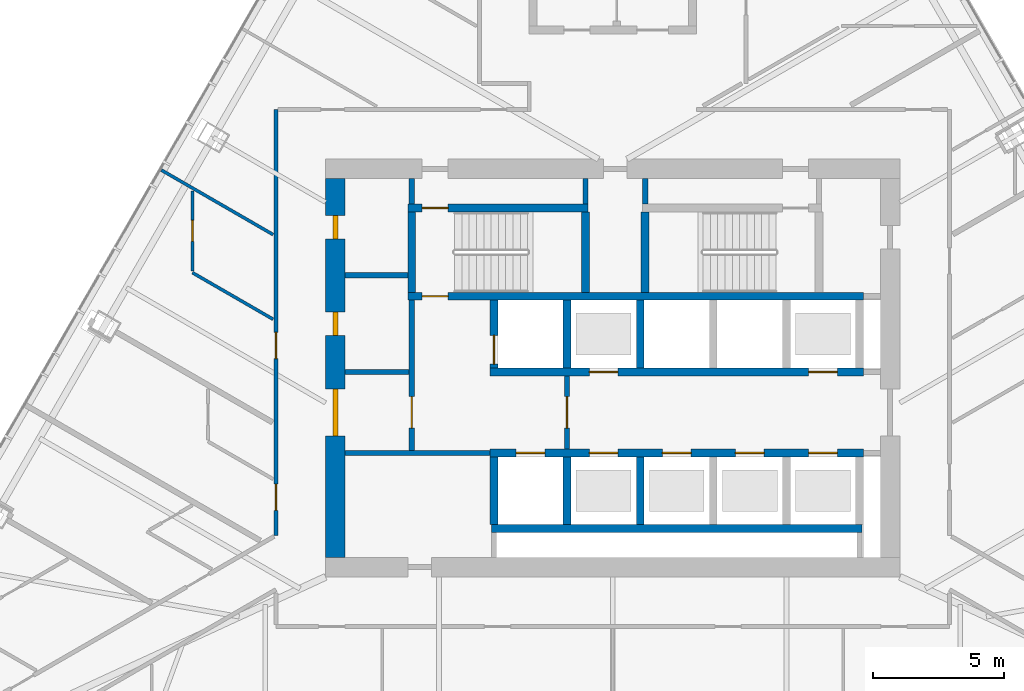
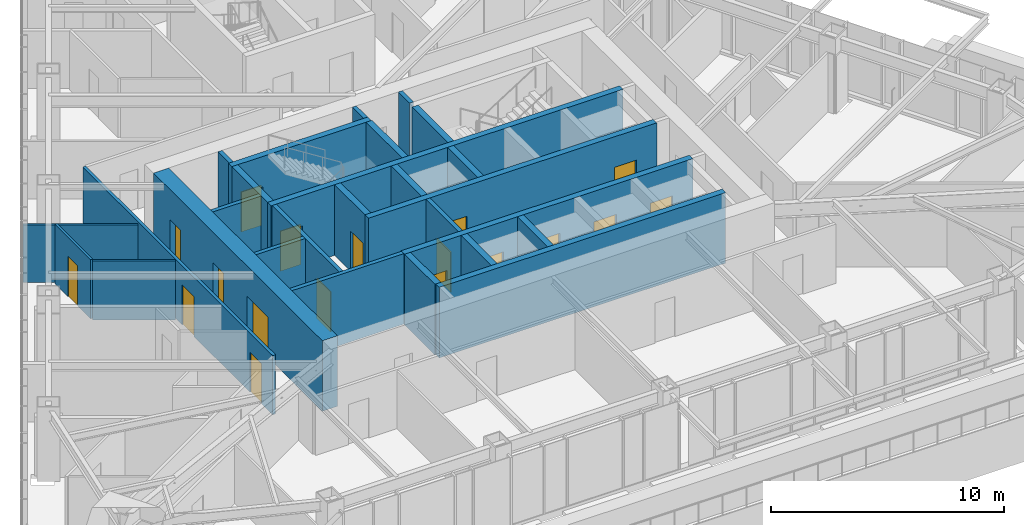
# One storey, part 15 of 21: 27 walls, 18 doors, 18 openings.
"""IFC4 building model written with IfcOpenShell, lengths in metres."""

import ifcopenshell
import ifcopenshell.guid

model = None  # the IFC model being written
_history = None  # IfcOwnerHistory: only IFC2X3 demands one
_inside = {}  # id of a spatial element -> (the spatial element, [elements in it])
_under = {}  # id of a project, library or spatial element -> (it, [spatial elements below it])
_declared = {}  # id of a project -> (the project, [libraries it declares])
_typed = {}  # id of a type object -> (the type object, [elements of that type])
_made_of = {}  # id of a material, layer set ... -> (it, [elements and type objects made of it])


def new_model(schema):
    """Start an empty IFC model of exactly this schema.

    Asked for "IFC4X3", IfcOpenShell would pick the latest addendum, in which some entities
    have other attributes; the version numbers below select the first issue.
    IFC2X3 requires an IfcOwnerHistory on every rooted entity: one is made here for all.
    """
    global model, _history
    if schema == "IFC4X3":
        model = ifcopenshell.file(schema_version=(4, 3, 0, 0))
    else:
        model = ifcopenshell.file(schema=schema)
    _inside.clear()
    _under.clear()
    _declared.clear()
    _typed.clear()
    _made_of.clear()
    _history = None
    if model.schema == "IFC2X3":
        org = make("IfcOrganization", Name="unknown")
        user = make(
            "IfcPersonAndOrganization",
            ThePerson=make("IfcPerson", FamilyName="unknown"),
            TheOrganization=org,
        )
        app = make(
            "IfcApplication",
            ApplicationDeveloper=org,
            Version="unknown",
            ApplicationFullName="unknown",
            ApplicationIdentifier="unknown",
        )
        _history = make(
            "IfcOwnerHistory",
            OwningUser=user,
            OwningApplication=app,
            ChangeAction="ADDED",
            CreationDate=0,
        )
    return model


def make(cls, **values):
    """One entity of the class cls with the attributes given. An attribute that is None is left unset."""
    return model.create_entity(
        cls, **{name: value for name, value in values.items() if value is not None}
    )


def rooted(cls, **values):
    """An entity with a GlobalId (a new one), such as an element, a storey or a relation."""
    return make(cls, GlobalId=ifcopenshell.guid.new(), OwnerHistory=_history, **values)


def si_unit(unit_type, name, prefix=None):
    """IfcSIUnit, for example si_unit("LENGTHUNIT", "METRE", prefix="MILLI")."""
    return make("IfcSIUnit", UnitType=unit_type, Prefix=prefix, Name=name)


def assignment(units):
    """IfcUnitAssignment: the units of a project."""
    return None if units is None else make("IfcUnitAssignment", Units=units)


def point(xyz):
    """IfcCartesianPoint."""
    return None if xyz is None else make("IfcCartesianPoint", Coordinates=xyz)


def direction(xyz):
    """IfcDirection."""
    return None if xyz is None else make("IfcDirection", DirectionRatios=xyz)


def frame(location, z_axis=None, x_axis=None):
    """IfcAxis2Placement3D, a coordinate frame: its origin and axes. An axis left out is left unset."""
    return make(
        "IfcAxis2Placement3D",
        Location=point(location),
        Axis=direction(z_axis),
        RefDirection=direction(x_axis),
    )


def frame_2d(location, x_axis=None):
    """IfcAxis2Placement2D, a coordinate frame in the plane: its origin and x axis."""
    return make(
        "IfcAxis2Placement2D", Location=point(location), RefDirection=direction(x_axis)
    )


def origin():
    """The frame at (0, 0, 0) with its axes left unset."""
    return frame((0.0, 0.0, 0.0))


def place(relative_to, where):
    """IfcLocalPlacement: puts the frame where relative to a parent placement (None: the world)."""
    return make(
        "IfcLocalPlacement", PlacementRelTo=relative_to, RelativePlacement=where
    )


def context(
    kind, dimensions, precision=None, world=None, true_north=None, identifier=None
):
    """IfcGeometricRepresentationContext, for example the 3D "Model" context."""
    return make(
        "IfcGeometricRepresentationContext",
        ContextIdentifier=identifier,
        ContextType=kind,
        CoordinateSpaceDimension=dimensions,
        Precision=precision,
        WorldCoordinateSystem=world,
        TrueNorth=true_north,
    )


def subcontext(parent, identifier, kind, view, scale=None):
    """IfcGeometricRepresentationSubContext, for example "Body" below "Model"."""
    return make(
        "IfcGeometricRepresentationSubContext",
        ContextIdentifier=identifier,
        ContextType=kind,
        ParentContext=parent,
        TargetScale=scale,
        TargetView=view,
    )


def project(units=None, contexts=None):
    """IfcProject with its units and contexts."""
    return rooted(
        "IfcProject",
        Name="project",
        RepresentationContexts=contexts,
        UnitsInContext=assignment(units),
    )


def spatial(cls, under=None, at=None, **own):
    """A site, building, storey or space (cls), placed at a placement, below another one or the project."""
    s = rooted(cls, ObjectPlacement=at, **own)
    if under is not None:
        _under.setdefault(under.id(), (under, []))[1].append(s)
    return s


def profile(cls, at=None, kind="AREA", **sizes):
    """A parametric profile (cls). Its sizes go by their IFC names, for example OverallWidth=200.0."""
    return make(cls, ProfileType=kind, Position=at, **sizes)


def rectangle(**sizes):
    """IfcRectangleProfileDef."""
    return profile("IfcRectangleProfileDef", **sizes)


def extrude(swept, where, along, depth):
    """IfcExtrudedAreaSolid: the profile swept, set in the frame where, extruded along a direction by depth."""
    return make(
        "IfcExtrudedAreaSolid",
        SweptArea=swept,
        Position=where,
        ExtrudedDirection=direction(along),
        Depth=depth,
    )


def shape(context_of_items, identifier, shape_type, items):
    """IfcShapeRepresentation: the items that make up one representation, for example the "Body"."""
    return make(
        "IfcShapeRepresentation",
        ContextOfItems=context_of_items,
        RepresentationIdentifier=identifier,
        RepresentationType=shape_type,
        Items=items,
    )


def material(Name=None, Category=None):
    """IfcMaterial."""
    return make("IfcMaterial", Name=Name, Category=Category)


def layer(
    of_material, thickness, ventilated=None, Name=None, Category=None, Priority=None
):
    """IfcMaterialLayer: one layer of a wall or slab, of a material (None: an air gap)."""
    return make(
        "IfcMaterialLayer",
        Material=of_material,
        LayerThickness=thickness,
        IsVentilated=ventilated,
        Name=Name,
        Category=Category,
        Priority=Priority,
    )


def layer_set(layers, Name=None):
    """IfcMaterialLayerSet."""
    return make("IfcMaterialLayerSet", MaterialLayers=layers, LayerSetName=Name)


def made_of(thing, what):
    """Note that an element or type object is made of a material, layer set ...; save() writes the relation."""
    if what is not None:
        _made_of.setdefault(what.id(), (what, []))[1].append(thing)
    return thing


def type_object(cls, material=None, **own):
    """A type object (cls), such as IfcWallType, which elements share."""
    return made_of(rooted(cls, **own), material)


def element(
    cls,
    number,
    at=None,
    inside=None,
    cuts=None,
    type_object=None,
    material=None,
    context=None,
    identifier="Body",
    shape_type=None,
    held_by="IfcProductDefinitionShape",
    body=None,
    shapes=None,
    **own,
):
    """One element of the class cls, such as IfcWall. Its Tag is "e" and its number.

    at: its placement. inside: the storey or other place that contains it. cuts: it is an
    opening in that element (IfcRelVoidsElement). A single representation is given by context,
    identifier, shape_type and body (its items); several are given by shapes. held_by: the class
    of the entity that holds the representations. save() writes the other relations.
    """
    e = rooted(cls, Tag="e%d" % number, ObjectPlacement=at, **own)
    if body is not None:
        shapes = [shape(context, identifier, shape_type, body)]
    if shapes is not None:
        e.Representation = make(held_by, Representations=shapes)
    if inside is not None:
        _inside.setdefault(inside.id(), (inside, []))[1].append(e)
    if cuts is not None:
        rooted(
            "IfcRelVoidsElement", RelatingBuildingElement=cuts, RelatedOpeningElement=e
        )
    if type_object is not None:
        _typed.setdefault(type_object.id(), (type_object, []))[1].append(e)
    return made_of(e, material)


def fill(opening, filler):
    """IfcRelFillsElement: the door or window that sits in an opening."""
    return rooted(
        "IfcRelFillsElement",
        RelatingOpeningElement=opening,
        RelatedBuildingElement=filler,
    )


def aggregate(whole, parts):
    """IfcRelAggregates: a whole, such as a stair, and the parts it consists of."""
    return rooted("IfcRelAggregates", RelatingObject=whole, RelatedObjects=parts)


def save(model, path):
    """Write the relations noted so far, then the file.

    IfcRelAggregates (storeys below a building ...), IfcRelContainedInSpatialStructure (elements
    in a storey), IfcRelDefinesByType, IfcRelAssociatesMaterial and IfcRelDeclares: one each for
    every whole, place, type object, material and project.
    """
    for whole, parts in _under.values():
        aggregate(whole, parts)
    for where, things in _inside.values():
        rooted(
            "IfcRelContainedInSpatialStructure",
            RelatedElements=things,
            RelatingStructure=where,
        )
    for kind, things in _typed.values():
        rooted("IfcRelDefinesByType", RelatedObjects=things, RelatingType=kind)
    for what, things in _made_of.values():
        rooted("IfcRelAssociatesMaterial", RelatedObjects=things, RelatingMaterial=what)
    for by, libraries in _declared.values():
        rooted("IfcRelDeclares", RelatingContext=by, RelatedDefinitions=libraries)
    model.write(path)


model = new_model("IFC4")

# Units and contexts
model_context = context("Model", 3, precision=1e-05, world=origin(), true_north=direction((0.0, 1.0)))
body_context = subcontext(model_context, "Body", "Model", "MODEL_VIEW")
ifc_project = project(units=[si_unit("LENGTHUNIT", "METRE"), si_unit("AREAUNIT", "SQUARE_METRE"), si_unit("VOLUMEUNIT", "CUBIC_METRE"), si_unit("PLANEANGLEUNIT", "RADIAN"), si_unit("MASSUNIT", "GRAM", prefix="KILO")], contexts=[model_context])

# Site, building, storey
site_placement = place(None, origin())
site = spatial("IfcSite", under=ifc_project, at=site_placement, CompositionType="ELEMENT")
building_placement = place(site_placement, origin())
building = spatial("IfcBuilding", under=site, at=building_placement, Name="Firuza Gate Tower and Library", CompositionType="ELEMENT")
storey_placement = place(building_placement, frame((0.0, 0.0, 222.10009765625)))
storey = spatial("IfcBuildingStorey", under=building, at=storey_placement, Name="L52", CompositionType="ELEMENT", Elevation=222.10009765625)

# Walls
ifc_material_1 = material(Name="Plasterboard on steel studs", Category="steel")
ifc_layer_1 = layer(ifc_material_1, 0.199951171875)
ifc_layer_set_1 = layer_set([ifc_layer_1], Name="Core partition 200 EI 120")
wall_type_1 = type_object("IfcWallType", Name="Core partition 200 EI 120", PredefinedType="PARTITIONING", material=ifc_layer_set_1)
wall_1_placement = place(storey_placement, frame((64.75, 71.75, 0.0), z_axis=(0.0, 0.0, 1.0), x_axis=(1.0, 0.0, 0.0)))
element("IfcWall", 1, at=wall_1_placement, inside=storey, type_object=wall_type_1, Name="Core partition L52 1", PredefinedType="PARTITIONING", context=body_context, shape_type="SweptSolid", body=[
    extrude(rectangle(XDim=5.550048828125, YDim=0.199951171875, at=frame_2d((2.77490234375, 0.0))), origin(), (0.0, 0.0, 1.0), 3.699951171875),
])
ifc_material_2 = material(Name="Plasterboard on steel studs", Category="steel")
ifc_layer_2 = layer(ifc_material_2, 0.199951171875)
ifc_layer_set_2 = layer_set([ifc_layer_2], Name="Core partition 200 EI 60")
wall_type_2 = type_object("IfcWallType", Name="Core partition 200 EI 60", PredefinedType="PARTITIONING", material=ifc_layer_set_2)
wall_2_placement = place(storey_placement, frame((64.75, 74.85009765625, 0.0), z_axis=(0.0, 0.0, 1.0), x_axis=(1.0, 0.0, 0.0)))
element("IfcWall", 2, at=wall_2_placement, inside=storey, type_object=wall_type_2, Name="Core partition L52 3", PredefinedType="PARTITIONING", context=body_context, shape_type="SweptSolid", body=[
    extrude(rectangle(XDim=2.449951171875, YDim=0.199951171875, at=frame_2d((1.22509765625, 0.0))), origin(), (0.0, 0.0, 1.0), 3.699951171875),
])
wall_3_placement = place(storey_placement, frame((64.75, 78.550048828125, 0.0), z_axis=(0.0, 0.0, 1.0), x_axis=(1.0, 0.0, 0.0)))
element("IfcWall", 3, at=wall_3_placement, inside=storey, type_object=wall_type_2, Name="Core partition L52 6", PredefinedType="PARTITIONING", context=body_context, shape_type="SweptSolid", body=[
    extrude(rectangle(XDim=2.39990234375, YDim=0.199951171875, at=frame_2d((1.199951171875, 0.0))), origin(), (0.0, 0.0, 1.0), 3.699951171875),
])

# Wall, opening, door
wall_4_placement = place(storey_placement, frame((67.300048828125, 71.85009765625, 0.0), z_axis=(0.0, 0.0, 1.0), x_axis=(0.0, 1.0, 0.0)))
wall_4 = element("IfcWall", 4, at=wall_4_placement, inside=storey, type_object=wall_type_2, Name="Core partition L52 7", PredefinedType="PARTITIONING", context=body_context, shape_type="SweptSolid", body=[
    extrude(rectangle(XDim=5.75, YDim=0.199951171875, at=frame_2d((2.875, 0.0))), origin(), (0.0, 0.0, 1.0), 3.699951171875),
])
opening_1_placement = place(wall_4_placement, frame((0.85009765625, 0.0, 0.0)))
opening_1 = element("IfcOpeningElement", 5, at=opening_1_placement, cuts=wall_4, Name="Opening L52-K19", PredefinedType="OPENING", context=body_context, shape_type="SweptSolid", body=[
    extrude(rectangle(XDim=1.199951171875, YDim=2.10009765625, at=frame_2d((0.60009765625, 1.050048828125))), frame((0.0, 0.10986328125, 0.0), z_axis=(0.0, -1.0, 0.0), x_axis=(1.0, 0.0, 0.0)), (0.0, 0.0, 1.0), 0.219970703125),
])
ifc_material_3 = material(Name="Steel", Category="steel")
door_type_1 = type_object("IfcDoorType", Name="Fire door 1200x2100 FD90S", OperationType="NOTDEFINED", PredefinedType="DOOR", material=ifc_material_3)
door_1_placement = place(opening_1_placement, origin())
door_1 = element("IfcDoor", 6, at=door_1_placement, inside=storey, type_object=door_type_1, Name="Door L52-K19", OperationType="SINGLE_SWING_RIGHT", OverallHeight=2.10009765625, OverallWidth=1.199951171875, PredefinedType="DOOR", context=body_context, shape_type="SweptSolid", body=[
    extrude(rectangle(XDim=1.199951171875, YDim=2.10009765625, at=frame_2d((0.60009765625, 1.050048828125))), frame((0.0, 0.02490234375, 0.0), z_axis=(0.0, -1.0, 0.0), x_axis=(1.0, 0.0, 0.0)), (0.0, 0.0, 1.0), 0.050048828125),
])
fill(opening_1, door_1)

# Wall
wall_5_placement = place(storey_placement, frame((67.300048828125, 81.280029296875, 0.0), z_axis=(0.0, 0.0, 1.0), x_axis=(0.0, 1.0, 0.0)))
element("IfcWall", 7, at=wall_5_placement, inside=storey, type_object=wall_type_2, Name="Core partition L52 8", PredefinedType="PARTITIONING", context=body_context, shape_type="SweptSolid", body=[
    extrude(rectangle(XDim=0.969970703125, YDim=0.199951171875, at=frame_2d((0.48486328125, 0.0))), origin(), (0.0, 0.0, 1.0), 3.699951171875),
])

# Wall, opening, door
wall_6_placement = place(storey_placement, frame((73.25, 71.89990234375, 0.0), z_axis=(0.0, 0.0, 1.0), x_axis=(0.0, 1.0, 0.0)))
wall_6 = element("IfcWall", 8, at=wall_6_placement, inside=storey, type_object=wall_type_2, Name="Core partition L52 10", PredefinedType="PARTITIONING", context=body_context, shape_type="SweptSolid", body=[
    extrude(rectangle(XDim=2.800048828125, YDim=0.199951171875, at=frame_2d((1.39990234375, 0.0))), origin(), (0.0, 0.0, 1.0), 3.699951171875),
])
opening_2_placement = place(wall_6_placement, frame((0.800048828125, 0.0, 0.0)))
opening_2 = element("IfcOpeningElement", 9, at=opening_2_placement, cuts=wall_6, Name="Opening L52-K18", PredefinedType="OPENING", context=body_context, shape_type="SweptSolid", body=[
    extrude(rectangle(XDim=1.199951171875, YDim=2.10009765625, at=frame_2d((0.60009765625, 1.050048828125))), frame((0.0, 0.10986328125, 0.0), z_axis=(0.0, -1.0, 0.0), x_axis=(1.0, 0.0, 0.0)), (0.0, 0.0, 1.0), 0.219970703125),
])
door_2_placement = place(opening_2_placement, origin())
door_2 = element("IfcDoor", 10, at=door_2_placement, inside=storey, type_object=door_type_1, Name="Door L52-K18", OperationType="SINGLE_SWING_LEFT", OverallHeight=2.10009765625, OverallWidth=1.199951171875, PredefinedType="DOOR", context=body_context, shape_type="SweptSolid", body=[
    extrude(rectangle(XDim=1.199951171875, YDim=2.10009765625, at=frame_2d((0.60009765625, 1.050048828125))), frame((0.0, 0.02490234375, 0.0), z_axis=(0.0, -1.0, 0.0), x_axis=(1.0, 0.0, 0.0)), (0.0, 0.0, 1.0), 0.050048828125),
])
fill(opening_2, door_2)

# Walls
for number, where, z_axis, x_axis, name in (
    (11, (73.9599609375, 81.280029296875, 0.0), (0.0, 0.0, 1.0), (0.0, 1.0, 0.0), "Core partition L52 11"),
    (12, (76.239990234375, 81.280029296875, 0.0), (0.0, 0.0, 1.0), (0.0, 1.0, 0.0), "Core partition L52 12"),
):
    element("IfcWall", number, at=place(storey_placement, frame(where, z_axis=z_axis, x_axis=x_axis)), inside=storey, type_object=wall_type_2, Name=name, PredefinedType="PARTITIONING", context=body_context, shape_type="SweptSolid", body=[
        extrude(rectangle(XDim=0.969970703125, YDim=0.199951171875, at=frame_2d((0.48486328125, 0.0))), origin(), (0.0, 0.0, 1.0), 3.699951171875),
    ])
ifc_material_4 = material(Name="Concrete C80/95", Category="concrete")
ifc_layer_3 = layer(ifc_material_4, 0.300048828125)
ifc_layer_set_3 = layer_set([ifc_layer_3], Name="Core wall 300 C80/95")
wall_type_3 = type_object("IfcWallType", Name="Core wall 300 C80/95", PredefinedType="SHEAR", material=ifc_layer_set_3)
wall_7_placement = place(storey_placement, frame((70.35009765625, 68.85009765625, 0.0), z_axis=(0.0, 0.0, 1.0), x_axis=(1.0, 0.0, 0.0)))
element("IfcWall", 13, at=wall_7_placement, inside=storey, type_object=wall_type_3, Name="Core wall L52 5", PredefinedType="SHEAR", context=body_context, shape_type="SweptSolid", body=[
    extrude(rectangle(XDim=14.199951171875, YDim=0.300048828125, at=frame_2d((7.10009765625, 0.0))), origin(), (0.0, 0.0, 1.0), 3.699951171875),
])

# Wall, openings, doors
wall_8_placement = place(storey_placement, frame((70.300048828125, 71.75, 0.0), z_axis=(0.0, 0.0, 1.0), x_axis=(1.0, 0.0, 0.0)))
wall_8 = element("IfcWall", 14, at=wall_8_placement, inside=storey, type_object=wall_type_3, Name="Core wall L52 6", PredefinedType="SHEAR", context=body_context, shape_type="SweptSolid", body=[
    extrude(rectangle(XDim=14.300048828125, YDim=0.300048828125, at=frame_2d((7.14990234375, 0.0))), origin(), (0.0, 0.0, 1.0), 3.699951171875),
])
opening_3_placement = place(wall_8_placement, frame((1.0, 0.0, 0.0)))
opening_3 = element("IfcOpeningElement", 15, at=opening_3_placement, cuts=wall_8, Name="Opening LD-FF1-L52", PredefinedType="OPENING", context=body_context, shape_type="SweptSolid", body=[
    extrude(rectangle(XDim=1.10009765625, YDim=2.10009765625, at=frame_2d((0.550048828125, 1.050048828125))), frame((0.0, 0.16015625, 0.0), z_axis=(0.0, -1.0, 0.0), x_axis=(1.0, 0.0, 0.0)), (0.0, 0.0, 1.0), 0.320068359375),
])
opening_4_placement = place(wall_8_placement, frame((3.800048828125, 0.0, 0.0)))
opening_4 = element("IfcOpeningElement", 16, at=opening_4_placement, cuts=wall_8, Name="Opening LD-MR1-L52", PredefinedType="OPENING", context=body_context, shape_type="SweptSolid", body=[
    extrude(rectangle(XDim=1.10009765625, YDim=2.10009765625, at=frame_2d((0.550048828125, 1.050048828125))), frame((0.0, 0.16015625, 0.0), z_axis=(0.0, -1.0, 0.0), x_axis=(1.0, 0.0, 0.0)), (0.0, 0.0, 1.0), 0.320068359375),
])
opening_5_placement = place(wall_8_placement, frame((6.60009765625, 0.0, 0.0)))
opening_5 = element("IfcOpeningElement", 17, at=opening_5_placement, cuts=wall_8, Name="Opening LD-MR2-L52", PredefinedType="OPENING", context=body_context, shape_type="SweptSolid", body=[
    extrude(rectangle(XDim=1.10009765625, YDim=2.10009765625, at=frame_2d((0.550048828125, 1.050048828125))), frame((0.0, 0.16015625, 0.0), z_axis=(0.0, -1.0, 0.0), x_axis=(1.0, 0.0, 0.0)), (0.0, 0.0, 1.0), 0.320068359375),
])
opening_6_placement = place(wall_8_placement, frame((9.39990234375, 0.0, 0.0)))
opening_6 = element("IfcOpeningElement", 18, at=opening_6_placement, cuts=wall_8, Name="Opening LD-MR3-L52", PredefinedType="OPENING", context=body_context, shape_type="SweptSolid", body=[
    extrude(rectangle(XDim=1.10009765625, YDim=2.10009765625, at=frame_2d((0.550048828125, 1.050048828125))), frame((0.0, 0.16015625, 0.0), z_axis=(0.0, -1.0, 0.0), x_axis=(1.0, 0.0, 0.0)), (0.0, 0.0, 1.0), 0.320068359375),
])
opening_7_placement = place(wall_8_placement, frame((12.199951171875, 0.0, 0.0)))
opening_7 = element("IfcOpeningElement", 19, at=opening_7_placement, cuts=wall_8, Name="Opening LD-MR5-L52", PredefinedType="OPENING", context=body_context, shape_type="SweptSolid", body=[
    extrude(rectangle(XDim=1.10009765625, YDim=2.10009765625, at=frame_2d((0.550048828125, 1.050048828125))), frame((0.0, 0.16015625, 0.0), z_axis=(0.0, -1.0, 0.0), x_axis=(1.0, 0.0, 0.0)), (0.0, 0.0, 1.0), 0.320068359375),
])
ifc_material_5 = material(Name="Stainless steel", Category="steel")
door_type_2 = type_object("IfcDoorType", Name="Lift landing door 1100x2100", OperationType="DOUBLE_DOOR_SLIDING", PredefinedType="DOOR", material=ifc_material_5)
door_3_placement = place(opening_3_placement, origin())
door_3 = element("IfcDoor", 20, at=door_3_placement, inside=storey, type_object=door_type_2, Name="Landing door FF1 L52", OperationType="DOUBLE_DOOR_SLIDING", OverallHeight=2.10009765625, OverallWidth=1.10009765625, PredefinedType="DOOR", context=body_context, shape_type="SweptSolid", body=[
    extrude(rectangle(XDim=1.10009765625, YDim=2.10009765625, at=frame_2d((0.550048828125, 1.050048828125))), frame((0.0, 0.02490234375, 0.0), z_axis=(0.0, -1.0, 0.0), x_axis=(1.0, 0.0, 0.0)), (0.0, 0.0, 1.0), 0.050048828125),
])
fill(opening_3, door_3)
door_4_placement = place(opening_4_placement, origin())
door_4 = element("IfcDoor", 21, at=door_4_placement, inside=storey, type_object=door_type_2, Name="Landing door MR1 L52", OperationType="DOUBLE_DOOR_SLIDING", OverallHeight=2.10009765625, OverallWidth=1.10009765625, PredefinedType="DOOR", context=body_context, shape_type="SweptSolid", body=[
    extrude(rectangle(XDim=1.10009765625, YDim=2.10009765625, at=frame_2d((0.550048828125, 1.050048828125))), frame((0.0, 0.02490234375, 0.0), z_axis=(0.0, -1.0, 0.0), x_axis=(1.0, 0.0, 0.0)), (0.0, 0.0, 1.0), 0.050048828125),
])
fill(opening_4, door_4)
door_5_placement = place(opening_5_placement, origin())
door_5 = element("IfcDoor", 22, at=door_5_placement, inside=storey, type_object=door_type_2, Name="Landing door MR2 L52", OperationType="DOUBLE_DOOR_SLIDING", OverallHeight=2.10009765625, OverallWidth=1.10009765625, PredefinedType="DOOR", context=body_context, shape_type="SweptSolid", body=[
    extrude(rectangle(XDim=1.10009765625, YDim=2.10009765625, at=frame_2d((0.550048828125, 1.050048828125))), frame((0.0, 0.02490234375, 0.0), z_axis=(0.0, -1.0, 0.0), x_axis=(1.0, 0.0, 0.0)), (0.0, 0.0, 1.0), 0.050048828125),
])
fill(opening_5, door_5)
door_6_placement = place(opening_6_placement, origin())
door_6 = element("IfcDoor", 23, at=door_6_placement, inside=storey, type_object=door_type_2, Name="Landing door MR3 L52", OperationType="DOUBLE_DOOR_SLIDING", OverallHeight=2.10009765625, OverallWidth=1.10009765625, PredefinedType="DOOR", context=body_context, shape_type="SweptSolid", body=[
    extrude(rectangle(XDim=1.10009765625, YDim=2.10009765625, at=frame_2d((0.550048828125, 1.050048828125))), frame((0.0, 0.02490234375, 0.0), z_axis=(0.0, -1.0, 0.0), x_axis=(1.0, 0.0, 0.0)), (0.0, 0.0, 1.0), 0.050048828125),
])
fill(opening_6, door_6)
door_7_placement = place(opening_7_placement, origin())
door_7 = element("IfcDoor", 24, at=door_7_placement, inside=storey, type_object=door_type_2, Name="Landing door MR5 L52", OperationType="DOUBLE_DOOR_SLIDING", OverallHeight=2.10009765625, OverallWidth=1.10009765625, PredefinedType="DOOR", context=body_context, shape_type="SweptSolid", body=[
    extrude(rectangle(XDim=1.10009765625, YDim=2.10009765625, at=frame_2d((0.550048828125, 1.050048828125))), frame((0.0, 0.02490234375, 0.0), z_axis=(0.0, -1.0, 0.0), x_axis=(1.0, 0.0, 0.0)), (0.0, 0.0, 1.0), 0.050048828125),
])
fill(opening_7, door_7)

wall_9_placement = place(storey_placement, frame((70.300048828125, 74.85009765625, 0.0), z_axis=(0.0, 0.0, 1.0), x_axis=(1.0, 0.0, 0.0)))
wall_9 = element("IfcWall", 25, at=wall_9_placement, inside=storey, type_object=wall_type_3, Name="Core wall L52 7", PredefinedType="SHEAR", context=body_context, shape_type="SweptSolid", body=[
    extrude(rectangle(XDim=14.300048828125, YDim=0.300048828125, at=frame_2d((7.14990234375, 0.0))), origin(), (0.0, 0.0, 1.0), 3.699951171875),
])
opening_8_placement = place(wall_9_placement, frame((3.800048828125, 0.0, 0.0)))
opening_8 = element("IfcOpeningElement", 26, at=opening_8_placement, cuts=wall_9, Name="Opening LD-MR4-L52", PredefinedType="OPENING", context=body_context, shape_type="SweptSolid", body=[
    extrude(rectangle(XDim=1.10009765625, YDim=2.10009765625, at=frame_2d((0.550048828125, 1.050048828125))), frame((0.0, 0.16015625, 0.0), z_axis=(0.0, -1.0, 0.0), x_axis=(1.0, 0.0, 0.0)), (0.0, 0.0, 1.0), 0.320068359375),
])
opening_9_placement = place(wall_9_placement, frame((12.199951171875, 0.0, 0.0)))
opening_9 = element("IfcOpeningElement", 27, at=opening_9_placement, cuts=wall_9, Name="Opening LD-MR6-L52", PredefinedType="OPENING", context=body_context, shape_type="SweptSolid", body=[
    extrude(rectangle(XDim=1.10009765625, YDim=2.10009765625, at=frame_2d((0.550048828125, 1.050048828125))), frame((0.0, 0.16015625, 0.0), z_axis=(0.0, -1.0, 0.0), x_axis=(1.0, 0.0, 0.0)), (0.0, 0.0, 1.0), 0.320068359375),
])
door_8_placement = place(opening_8_placement, origin())
door_8 = element("IfcDoor", 28, at=door_8_placement, inside=storey, type_object=door_type_2, Name="Landing door MR4 L52", OperationType="DOUBLE_DOOR_SLIDING", OverallHeight=2.10009765625, OverallWidth=1.10009765625, PredefinedType="DOOR", context=body_context, shape_type="SweptSolid", body=[
    extrude(rectangle(XDim=1.10009765625, YDim=2.10009765625, at=frame_2d((0.550048828125, 1.050048828125))), frame((0.0, 0.02490234375, 0.0), z_axis=(0.0, -1.0, 0.0), x_axis=(1.0, 0.0, 0.0)), (0.0, 0.0, 1.0), 0.050048828125),
])
fill(opening_8, door_8)
door_9_placement = place(opening_9_placement, origin())
door_9 = element("IfcDoor", 29, at=door_9_placement, inside=storey, type_object=door_type_2, Name="Landing door MR6 L52", OperationType="DOUBLE_DOOR_SLIDING", OverallHeight=2.10009765625, OverallWidth=1.10009765625, PredefinedType="DOOR", context=body_context, shape_type="SweptSolid", body=[
    extrude(rectangle(XDim=1.10009765625, YDim=2.10009765625, at=frame_2d((0.550048828125, 1.050048828125))), frame((0.0, 0.02490234375, 0.0), z_axis=(0.0, -1.0, 0.0), x_axis=(1.0, 0.0, 0.0)), (0.0, 0.0, 1.0), 0.050048828125),
])
fill(opening_9, door_9)

# Wall
wall_10_placement = place(storey_placement, frame((70.449951171875, 69.0, 0.0), z_axis=(0.0, 0.0, 1.0), x_axis=(0.0, 1.0, 0.0)))
element("IfcWall", 30, at=wall_10_placement, inside=storey, type_object=wall_type_3, Name="Core wall L52 8", PredefinedType="SHEAR", context=body_context, shape_type="SweptSolid", body=[
    extrude(rectangle(XDim=2.60009765625, YDim=0.300048828125, at=frame_2d((1.300048828125, 0.0))), origin(), (0.0, 0.0, 1.0), 3.699951171875),
])

# Wall, opening, door
wall_11_placement = place(storey_placement, frame((70.449951171875, 75.0, 0.0), z_axis=(0.0, 0.0, 1.0), x_axis=(0.0, 1.0, 0.0)))
wall_11 = element("IfcWall", 31, at=wall_11_placement, inside=storey, type_object=wall_type_3, Name="Core wall L52 9", PredefinedType="SHEAR", context=body_context, shape_type="SweptSolid", body=[
    extrude(rectangle(XDim=2.60009765625, YDim=0.300048828125, at=frame_2d((1.300048828125, 0.0))), origin(), (0.0, 0.0, 1.0), 3.699951171875),
])
opening_10_placement = place(wall_11_placement, frame((0.14990234375, 0.0, 0.0)))
opening_10 = element("IfcOpeningElement", 32, at=opening_10_placement, cuts=wall_11, Name="Opening LD-FF2-L52", PredefinedType="OPENING", context=body_context, shape_type="SweptSolid", body=[
    extrude(rectangle(XDim=1.10009765625, YDim=2.10009765625, at=frame_2d((0.550048828125, 1.050048828125))), frame((0.0, 0.16015625, 0.0), z_axis=(0.0, -1.0, 0.0), x_axis=(1.0, 0.0, 0.0)), (0.0, 0.0, 1.0), 0.320068359375),
])
door_10_placement = place(opening_10_placement, origin())
door_10 = element("IfcDoor", 33, at=door_10_placement, inside=storey, type_object=door_type_2, Name="Landing door FF2 L52", OperationType="DOUBLE_DOOR_SLIDING", OverallHeight=2.10009765625, OverallWidth=1.10009765625, PredefinedType="DOOR", context=body_context, shape_type="SweptSolid", body=[
    extrude(rectangle(XDim=1.10009765625, YDim=2.10009765625, at=frame_2d((0.550048828125, 1.050048828125))), frame((0.0, 0.02490234375, 0.0), z_axis=(0.0, -1.0, 0.0), x_axis=(1.0, 0.0, 0.0)), (0.0, 0.0, 1.0), 0.050048828125),
])
fill(opening_10, door_10)

# Walls
for number, where, z_axis, x_axis, name in (
    (34, (73.25, 69.0, 0.0), (0.0, 0.0, 1.0), (0.0, 1.0, 0.0), "Core wall L52 10"),
    (35, (73.25, 75.0, 0.0), (0.0, 0.0, 1.0), (0.0, 1.0, 0.0), "Core wall L52 11"),
    (36, (76.050048828125, 69.0, 0.0), (0.0, 0.0, 1.0), (0.0, 1.0, 0.0), "Core wall L52 12"),
    (37, (76.050048828125, 75.0, 0.0), (0.0, 0.0, 1.0), (0.0, 1.0, 0.0), "Core wall L52 13"),
):
    element("IfcWall", number, at=place(storey_placement, frame(where, z_axis=z_axis, x_axis=x_axis)), inside=storey, type_object=wall_type_3, Name=name, PredefinedType="SHEAR", context=body_context, shape_type="SweptSolid", body=[
        extrude(rectangle(XDim=2.60009765625, YDim=0.300048828125, at=frame_2d((1.300048828125, 0.0))), origin(), (0.0, 0.0, 1.0), 3.699951171875),
    ])

# Wall, opening, door
wall_12_placement = place(storey_placement, frame((67.14990234375, 77.75, 0.0), z_axis=(0.0, 0.0, 1.0), x_axis=(1.0, 0.0, 0.0)))
wall_12 = element("IfcWall", 38, at=wall_12_placement, inside=storey, type_object=wall_type_3, Name="Core wall L52 20", PredefinedType="SHEAR", context=body_context, shape_type="SweptSolid", body=[
    extrude(rectangle(XDim=17.4501953125, YDim=0.300048828125, at=frame_2d((8.72509765625, 0.0))), origin(), (0.0, 0.0, 1.0), 3.699951171875),
])
opening_11_placement = place(wall_12_placement, frame((0.544921875, 0.0, 0.0)))
opening_11 = element("IfcOpeningElement", 39, at=opening_11_placement, cuts=wall_12, Name="Opening L52-K10", PredefinedType="OPENING", context=body_context, shape_type="SweptSolid", body=[
    extrude(rectangle(XDim=1.0, YDim=2.10009765625, at=frame_2d((0.5, 1.050048828125))), frame((0.0, 0.16015625, 0.0), z_axis=(0.0, -1.0, 0.0), x_axis=(1.0, 0.0, 0.0)), (0.0, 0.0, 1.0), 0.320068359375),
])
ifc_material_6 = material(Name="Steel", Category="steel")
door_type_3 = type_object("IfcDoorType", Name="Fire door 1000x2100 FD90", OperationType="NOTDEFINED", PredefinedType="DOOR", material=ifc_material_6)
door_11_placement = place(opening_11_placement, origin())
door_11 = element("IfcDoor", 40, at=door_11_placement, inside=storey, type_object=door_type_3, Name="Door L52-K10", OperationType="SINGLE_SWING_LEFT", OverallHeight=2.10009765625, OverallWidth=1.0, PredefinedType="DOOR", context=body_context, shape_type="SweptSolid", body=[
    extrude(rectangle(XDim=1.0, YDim=2.10009765625, at=frame_2d((0.5, 1.050048828125))), frame((0.0, 0.02490234375, 0.0), z_axis=(0.0, -1.0, 0.0), x_axis=(1.0, 0.0, 0.0)), (0.0, 0.0, 1.0), 0.050048828125),
])
fill(opening_11, door_11)

wall_13_placement = place(storey_placement, frame((67.14990234375, 81.1298828125, 0.0), z_axis=(0.0, 0.0, 1.0), x_axis=(1.0, 0.0, 0.0)))
wall_13 = element("IfcWall", 41, at=wall_13_placement, inside=storey, type_object=wall_type_3, Name="Core wall L52 21", PredefinedType="SHEAR", context=body_context, shape_type="SweptSolid", body=[
    extrude(rectangle(XDim=6.91015625, YDim=0.300048828125, at=frame_2d((3.455078125, 0.0))), origin(), (0.0, 0.0, 1.0), 3.699951171875),
])
opening_12_placement = place(wall_13_placement, frame((0.544921875, 0.0, 0.0)))
opening_12 = element("IfcOpeningElement", 42, at=opening_12_placement, cuts=wall_13, Name="Opening L52-K11", PredefinedType="OPENING", context=body_context, shape_type="SweptSolid", body=[
    extrude(rectangle(XDim=1.0, YDim=2.10009765625, at=frame_2d((0.5, 1.050048828125))), frame((0.0, 0.16015625, 0.0), z_axis=(0.0, -1.0, 0.0), x_axis=(1.0, 0.0, 0.0)), (0.0, 0.0, 1.0), 0.320068359375),
])
door_12_placement = place(opening_12_placement, origin())
door_12 = element("IfcDoor", 43, at=door_12_placement, inside=storey, type_object=door_type_3, Name="Door L52-K11", OperationType="SINGLE_SWING_RIGHT", OverallHeight=2.10009765625, OverallWidth=1.0, PredefinedType="DOOR", context=body_context, shape_type="SweptSolid", body=[
    extrude(rectangle(XDim=1.0, YDim=2.10009765625, at=frame_2d((0.5, 1.050048828125))), frame((0.0, 0.02490234375, 0.0), z_axis=(0.0, -1.0, 0.0), x_axis=(1.0, 0.0, 0.0)), (0.0, 0.0, 1.0), 0.050048828125),
])
fill(opening_12, door_12)

# Walls
for number, where, z_axis, x_axis, name in (
    (44, (67.300048828125, 77.89990234375, 0.0), (0.0, 0.0, 1.0), (0.0, 1.0, 0.0), "Core wall L52 23"),
    (45, (73.9599609375, 77.89990234375, 0.0), (0.0, 0.0, 1.0), (0.0, 1.0, 0.0), "Core wall L52 24"),
    (46, (76.239990234375, 77.89990234375, 0.0), (0.0, 0.0, 1.0), (0.0, 1.0, 0.0), "Core wall L52 25"),
):
    element("IfcWall", number, at=place(storey_placement, frame(where, z_axis=z_axis, x_axis=x_axis)), inside=storey, type_object=wall_type_3, Name=name, PredefinedType="SHEAR", context=body_context, shape_type="SweptSolid", body=[
        extrude(rectangle(XDim=3.080078125, YDim=0.300048828125, at=frame_2d((1.5400390625, 0.0))), origin(), (0.0, 0.0, 1.0), 3.699951171875),
    ])

# Wall, openings, doors
ifc_material_7 = material(Name="Concrete C80/95", Category="concrete")
ifc_layer_4 = layer(ifc_material_7, 0.75)
ifc_layer_set_4 = layer_set([ifc_layer_4], Name="Core wall 750 C80/95")
wall_type_4 = type_object("IfcWallType", Name="Core wall 750 C80/95", PredefinedType="SHEAR", material=ifc_layer_set_4)
wall_14_placement = place(storey_placement, frame((64.375, 67.75, 0.0), z_axis=(0.0, 0.0, 1.0), x_axis=(0.0, 1.0, 0.0)))
wall_14 = element("IfcWall", 47, at=wall_14_placement, inside=storey, type_object=wall_type_4, Name="Core wall L52 3", PredefinedType="SHEAR", context=body_context, shape_type="SweptSolid", body=[
    extrude(rectangle(XDim=14.5, YDim=0.75, at=frame_2d((7.25, 0.0))), origin(), (0.0, 0.0, 1.0), 3.699951171875),
])
opening_13_placement = place(wall_14_placement, frame((4.64990234375, 0.0, 0.0)))
opening_13 = element("IfcOpeningElement", 48, at=opening_13_placement, cuts=wall_14, Name="Opening L52-K20", PredefinedType="OPENING", context=body_context, shape_type="SweptSolid", body=[
    extrude(rectangle(XDim=1.800048828125, YDim=2.10009765625, at=frame_2d((0.89990234375, 1.050048828125))), frame((0.0, 0.385009765625, 0.0), z_axis=(0.0, -1.0, 0.0), x_axis=(1.0, 0.0, 0.0)), (0.0, 0.0, 1.0), 0.77001953125),
])
opening_14_placement = place(wall_14_placement, frame((8.5, 0.0, 0.0)))
opening_14 = element("IfcOpeningElement", 49, at=opening_14_placement, cuts=wall_14, Name="Opening L52-K23", PredefinedType="OPENING", context=body_context, shape_type="SweptSolid", body=[
    extrude(rectangle(XDim=0.89990234375, YDim=2.10009765625, at=frame_2d((0.449951171875, 1.050048828125))), frame((0.0, 0.385009765625, 0.0), z_axis=(0.0, -1.0, 0.0), x_axis=(1.0, 0.0, 0.0)), (0.0, 0.0, 1.0), 0.77001953125),
])
opening_15_placement = place(wall_14_placement, frame((12.199951171875, 0.0, 0.0)))
opening_15 = element("IfcOpeningElement", 50, at=opening_15_placement, cuts=wall_14, Name="Opening L52-K24", PredefinedType="OPENING", context=body_context, shape_type="SweptSolid", body=[
    extrude(rectangle(XDim=0.89990234375, YDim=2.10009765625, at=frame_2d((0.449951171875, 1.050048828125))), frame((0.0, 0.385009765625, 0.0), z_axis=(0.0, -1.0, 0.0), x_axis=(1.0, 0.0, 0.0)), (0.0, 0.0, 1.0), 0.77001953125),
])
ifc_material_8 = material(Name="Steel", Category="steel")
door_type_4 = type_object("IfcDoorType", Name="Fire door 1800x2100 FD30S", OperationType="NOTDEFINED", PredefinedType="DOOR", material=ifc_material_8)
door_13_placement = place(opening_13_placement, origin())
door_13 = element("IfcDoor", 51, at=door_13_placement, inside=storey, type_object=door_type_4, Name="Door L52-K20", OperationType="SINGLE_SWING_LEFT", OverallHeight=2.10009765625, OverallWidth=1.800048828125, PredefinedType="DOOR", context=body_context, shape_type="SweptSolid", body=[
    extrude(rectangle(XDim=1.800048828125, YDim=2.10009765625, at=frame_2d((0.89990234375, 1.050048828125))), frame((0.0, 0.094970703125, 0.0), z_axis=(0.0, -1.0, 0.0), x_axis=(1.0, 0.0, 0.0)), (0.0, 0.0, 1.0), 0.18994140625),
])
fill(opening_13, door_13)
ifc_material_9 = material(Name="Steel", Category="steel")
door_type_5 = type_object("IfcDoorType", Name="Fire door 900x2100 FD30S", OperationType="NOTDEFINED", PredefinedType="DOOR", material=ifc_material_9)
door_14_placement = place(opening_14_placement, origin())
door_14 = element("IfcDoor", 52, at=door_14_placement, inside=storey, type_object=door_type_5, Name="Door L52-K23", OperationType="SINGLE_SWING_RIGHT", OverallHeight=2.10009765625, OverallWidth=0.89990234375, PredefinedType="DOOR", context=body_context, shape_type="SweptSolid", body=[
    extrude(rectangle(XDim=0.89990234375, YDim=2.10009765625, at=frame_2d((0.449951171875, 1.050048828125))), frame((0.0, 0.094970703125, 0.0), z_axis=(0.0, -1.0, 0.0), x_axis=(1.0, 0.0, 0.0)), (0.0, 0.0, 1.0), 0.18994140625),
])
fill(opening_14, door_14)
door_15_placement = place(opening_15_placement, origin())
door_15 = element("IfcDoor", 53, at=door_15_placement, inside=storey, type_object=door_type_5, Name="Door L52-K24", OperationType="SINGLE_SWING_LEFT", OverallHeight=2.10009765625, OverallWidth=0.89990234375, PredefinedType="DOOR", context=body_context, shape_type="SweptSolid", body=[
    extrude(rectangle(XDim=0.89990234375, YDim=2.10009765625, at=frame_2d((0.449951171875, 1.050048828125))), frame((0.0, 0.094970703125, 0.0), z_axis=(0.0, -1.0, 0.0), x_axis=(1.0, 0.0, 0.0)), (0.0, 0.0, 1.0), 0.18994140625),
])
fill(opening_15, door_15)

ifc_material_10 = material(Name="Gypsum board partition")
ifc_layer_5 = layer(ifc_material_10, 0.14990234375)
ifc_layer_set_5 = layer_set([ifc_layer_5], Name="Corridor wall 150 double board on steel studs")
wall_type_5 = type_object("IfcWallType", Name="Corridor wall 150 double board on steel studs", PredefinedType="PARTITIONING", material=ifc_layer_set_5)
wall_15_placement = place(storey_placement, frame((62.10009765625, 68.59130859375, 0.0), z_axis=(0.0, 0.0, 1.0), x_axis=(0.0, 1.0, 0.0)))
wall_15 = element("IfcWall", 54, at=wall_15_placement, inside=storey, type_object=wall_type_5, Name="f:L52:w058", PredefinedType="PARTITIONING", context=body_context, shape_type="SweptSolid", body=[
    extrude(rectangle(XDim=16.30810546875, YDim=0.14990234375, at=frame_2d((8.154052734375, 0.0))), origin(), (0.0, 0.0, 1.0), 3.099853515625),
])
opening_16_placement = place(wall_15_placement, frame((0.96044921875, 0.0, 0.0)))
opening_16 = element("IfcOpeningElement", 55, at=opening_16_placement, cuts=wall_15, Name="Opening L52-26", PredefinedType="OPENING", context=body_context, shape_type="SweptSolid", body=[
    extrude(rectangle(XDim=1.0, YDim=2.10009765625, at=frame_2d((0.5, 1.050048828125))), frame((0.0, 0.0849609375, 0.0), z_axis=(0.0, -1.0, 0.0), x_axis=(1.0, 0.0, 0.0)), (0.0, 0.0, 1.0), 0.169921875),
])
opening_17_placement = place(wall_15_placement, frame((6.77197265625, 0.0, 0.0)))
opening_17 = element("IfcOpeningElement", 56, at=opening_17_placement, cuts=wall_15, Name="Opening L52-27", PredefinedType="OPENING", context=body_context, shape_type="SweptSolid", body=[
    extrude(rectangle(XDim=1.0, YDim=2.10009765625, at=frame_2d((0.5, 1.050048828125))), frame((0.0, 0.0849609375, 0.0), z_axis=(0.0, -1.0, 0.0), x_axis=(1.0, 0.0, 0.0)), (0.0, 0.0, 1.0), 0.169921875),
])
ifc_material_11 = material(Name="Steel door and timber leaf", Category="steel")
door_type_6 = type_object("IfcDoorType", Name="Fire door 1000 x 2100 steel frame, timber leaf", OperationType="NOTDEFINED", PredefinedType="DOOR", material=ifc_material_11)
door_16_placement = place(opening_16_placement, origin())
door_16 = element("IfcDoor", 57, at=door_16_placement, inside=storey, type_object=door_type_6, Name="f:L52:d026", OperationType="SINGLE_SWING_RIGHT", OverallHeight=2.10009765625, OverallWidth=1.0, PredefinedType="DOOR", context=body_context, shape_type="SweptSolid", body=[
    extrude(rectangle(XDim=1.0, YDim=2.10009765625, at=frame_2d((0.5, 1.050048828125))), frame((0.0, 0.02490234375, 0.0), z_axis=(0.0, -1.0, 0.0), x_axis=(1.0, 0.0, 0.0)), (0.0, 0.0, 1.0), 0.050048828125),
])
fill(opening_16, door_16)
door_17_placement = place(opening_17_placement, origin())
door_17 = element("IfcDoor", 58, at=door_17_placement, inside=storey, type_object=door_type_6, Name="f:L52:d027", OperationType="SINGLE_SWING_RIGHT", OverallHeight=2.10009765625, OverallWidth=1.0, PredefinedType="DOOR", context=body_context, shape_type="SweptSolid", body=[
    extrude(rectangle(XDim=1.0, YDim=2.10009765625, at=frame_2d((0.5, 1.050048828125))), frame((0.0, 0.02490234375, 0.0), z_axis=(0.0, -1.0, 0.0), x_axis=(1.0, 0.0, 0.0)), (0.0, 0.0, 1.0), 0.050048828125),
])
fill(opening_17, door_17)

# Wall, opening, door
ifc_material_12 = material(Name="Gypsum board partition")
ifc_layer_6 = layer(ifc_material_12, 0.1201171875)
ifc_layer_set_6 = layer_set([ifc_layer_6], Name="Wet-area partition 120 moisture-resistant board")
wall_type_6 = type_object("IfcWallType", Name="Wet-area partition 120 moisture-resistant board", PredefinedType="PARTITIONING", material=ifc_layer_set_6)
wall_16_placement = place(storey_placement, frame((58.89990234375, 81.784912109375, 0.0), z_axis=(0.0, 0.0, 1.0), x_axis=(0.0, -1.0, 0.0)))
wall_16 = element("IfcWall", 59, at=wall_16_placement, inside=storey, type_object=wall_type_6, Name="f:L52:w060", PredefinedType="PARTITIONING", context=body_context, shape_type="SweptSolid", body=[
    extrude(rectangle(XDim=3.062744140625, YDim=0.1201171875, at=frame_2d((1.53125, 0.0))), origin(), (0.0, 0.0, 1.0), 3.099853515625),
])
opening_18_placement = place(wall_16_placement, frame((1.13134765625, 0.0, 0.0)))
opening_18 = element("IfcOpeningElement", 60, at=opening_18_placement, cuts=wall_16, Name="Opening L52-29", PredefinedType="OPENING", context=body_context, shape_type="SweptSolid", body=[
    extrude(rectangle(XDim=0.800048828125, YDim=2.10009765625, at=frame_2d((0.39990234375, 1.050048828125))), frame((0.0, 0.070068359375, 0.0), z_axis=(0.0, -1.0, 0.0), x_axis=(1.0, 0.0, 0.0)), (0.0, 0.0, 1.0), 0.14013671875),
])
ifc_material_13 = material(Name="Timber door", Category="wood")
door_type_7 = type_object("IfcDoorType", Name="Door 800 x 2100 timber leaf", OperationType="NOTDEFINED", PredefinedType="DOOR", material=ifc_material_13)
door_18_placement = place(opening_18_placement, origin())
door_18 = element("IfcDoor", 61, at=door_18_placement, inside=storey, type_object=door_type_7, Name="f:L52:d029", OperationType="SINGLE_SWING_RIGHT", OverallHeight=2.10009765625, OverallWidth=0.800048828125, PredefinedType="DOOR", context=body_context, shape_type="SweptSolid", body=[
    extrude(rectangle(XDim=0.800048828125, YDim=2.10009765625, at=frame_2d((0.39990234375, 1.050048828125))), frame((0.0, 0.02490234375, 0.0), z_axis=(0.0, -1.0, 0.0), x_axis=(1.0, 0.0, 0.0)), (0.0, 0.0, 1.0), 0.050048828125),
])
fill(opening_18, door_18)

# Walls
wall_17_placement = place(storey_placement, frame((61.99072265625, 80.1103515625, 0.0), z_axis=(0.0, 0.0, 1.0), x_axis=(-0.866024338871, 0.500001844479, 0.0)))
element("IfcWall", 62, at=wall_17_placement, inside=storey, type_object=wall_type_6, Name="f:L52:w076", PredefinedType="PARTITIONING", context=body_context, shape_type="SweptSolid", body=[
    extrude(rectangle(XDim=4.94189453125, YDim=0.1201171875, at=frame_2d((2.470947265625, 0.0))), origin(), (0.0, 0.0, 1.0), 3.02197265625),
])
wall_18_placement = place(storey_placement, frame((61.990234375, 76.868408203125, 0.0), z_axis=(0.0, 0.0, 1.0), x_axis=(-0.866028357664, 0.499994883695, 0.0)))
element("IfcWall", 63, at=wall_18_placement, inside=storey, type_object=wall_type_6, Name="f:L52:w077", PredefinedType="PARTITIONING", context=body_context, shape_type="SweptSolid", body=[
    extrude(rectangle(XDim=3.568359375, YDim=0.1201171875, at=frame_2d((1.7841796875, 0.0))), origin(), (0.0, 0.0, 1.0), 3.099853515625),
])

save(model, "model.ifc")
